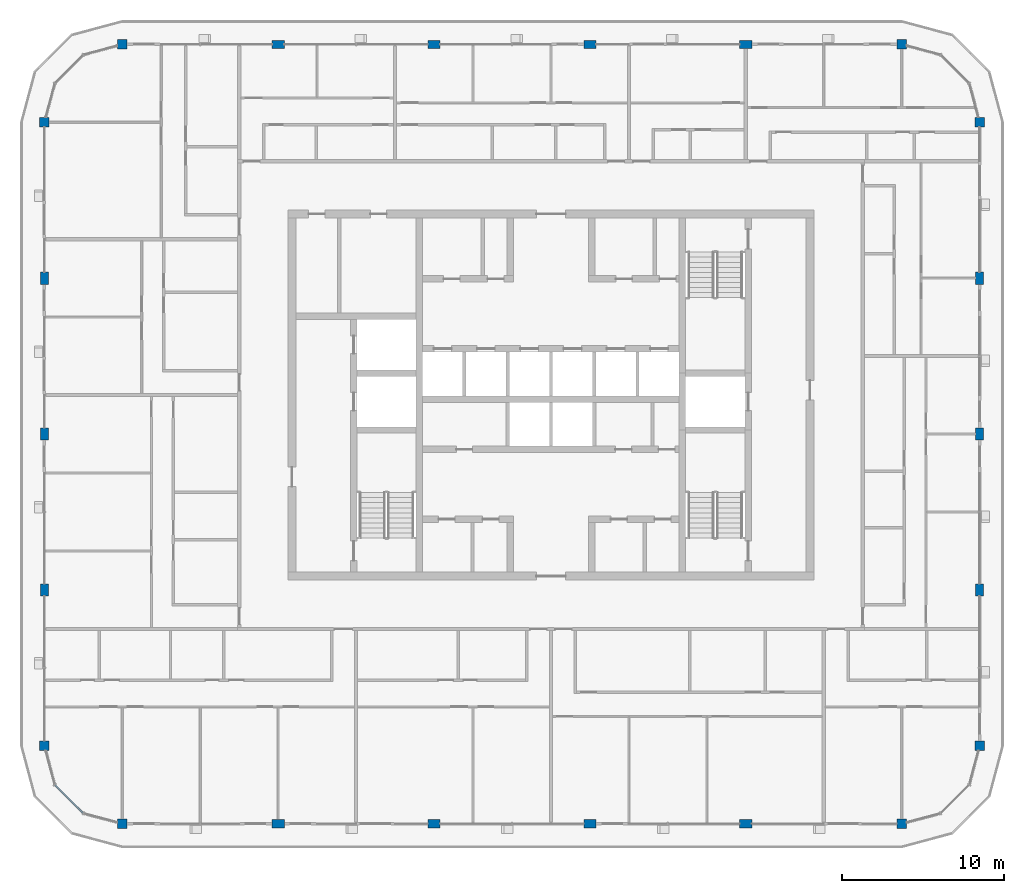
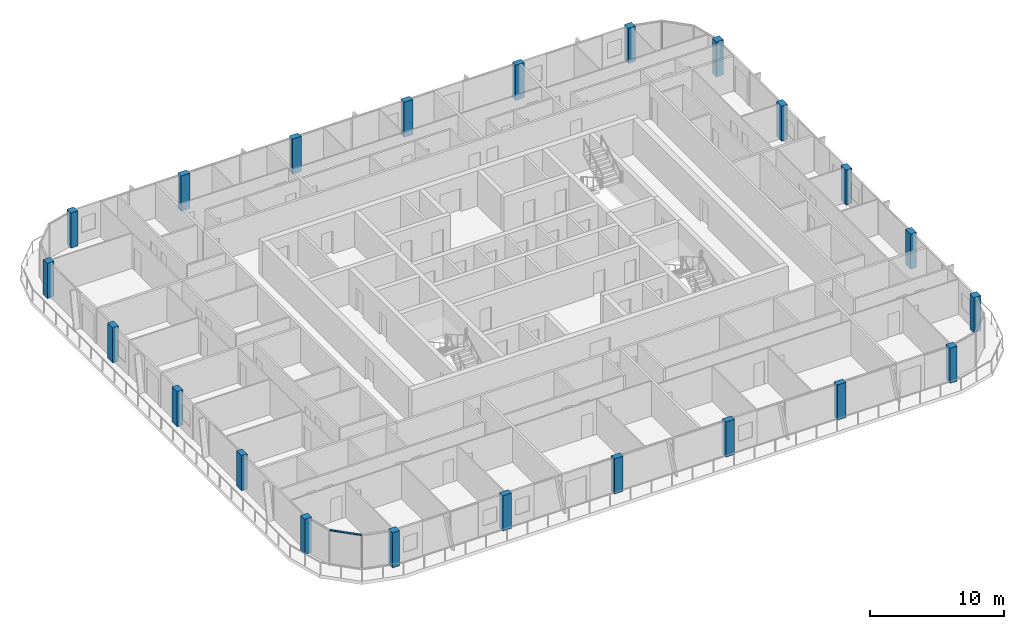
# One storey, part 1 of 21: 22 columns, 1 member, 1 element without a shape of its own.
"""IFC4 building model written with IfcOpenShell, lengths in metres."""

import ifcopenshell
import ifcopenshell.guid

model = None  # the IFC model being written
_history = None  # IfcOwnerHistory: only IFC2X3 demands one
_inside = {}  # id of a spatial element -> (the spatial element, [elements in it])
_under = {}  # id of a project, library or spatial element -> (it, [spatial elements below it])
_declared = {}  # id of a project -> (the project, [libraries it declares])
_typed = {}  # id of a type object -> (the type object, [elements of that type])
_made_of = {}  # id of a material, layer set ... -> (it, [elements and type objects made of it])


def new_model(schema):
    """Start an empty IFC model of exactly this schema.

    Asked for "IFC4X3", IfcOpenShell would pick the latest addendum, in which some entities
    have other attributes; the version numbers below select the first issue.
    IFC2X3 requires an IfcOwnerHistory on every rooted entity: one is made here for all.
    """
    global model, _history
    if schema == "IFC4X3":
        model = ifcopenshell.file(schema_version=(4, 3, 0, 0))
    else:
        model = ifcopenshell.file(schema=schema)
    _inside.clear()
    _under.clear()
    _declared.clear()
    _typed.clear()
    _made_of.clear()
    _history = None
    if model.schema == "IFC2X3":
        org = make("IfcOrganization", Name="unknown")
        user = make(
            "IfcPersonAndOrganization",
            ThePerson=make("IfcPerson", FamilyName="unknown"),
            TheOrganization=org,
        )
        app = make(
            "IfcApplication",
            ApplicationDeveloper=org,
            Version="unknown",
            ApplicationFullName="unknown",
            ApplicationIdentifier="unknown",
        )
        _history = make(
            "IfcOwnerHistory",
            OwningUser=user,
            OwningApplication=app,
            ChangeAction="ADDED",
            CreationDate=0,
        )
    return model


def make(cls, **values):
    """One entity of the class cls with the attributes given. An attribute that is None is left unset."""
    return model.create_entity(
        cls, **{name: value for name, value in values.items() if value is not None}
    )


def rooted(cls, **values):
    """An entity with a GlobalId (a new one), such as an element, a storey or a relation."""
    return make(cls, GlobalId=ifcopenshell.guid.new(), OwnerHistory=_history, **values)


def si_unit(unit_type, name, prefix=None):
    """IfcSIUnit, for example si_unit("LENGTHUNIT", "METRE", prefix="MILLI")."""
    return make("IfcSIUnit", UnitType=unit_type, Prefix=prefix, Name=name)


def assignment(units):
    """IfcUnitAssignment: the units of a project."""
    return None if units is None else make("IfcUnitAssignment", Units=units)


def point(xyz):
    """IfcCartesianPoint."""
    return None if xyz is None else make("IfcCartesianPoint", Coordinates=xyz)


def direction(xyz):
    """IfcDirection."""
    return None if xyz is None else make("IfcDirection", DirectionRatios=xyz)


def frame(location, z_axis=None, x_axis=None):
    """IfcAxis2Placement3D, a coordinate frame: its origin and axes. An axis left out is left unset."""
    return make(
        "IfcAxis2Placement3D",
        Location=point(location),
        Axis=direction(z_axis),
        RefDirection=direction(x_axis),
    )


def frame_2d(location, x_axis=None):
    """IfcAxis2Placement2D, a coordinate frame in the plane: its origin and x axis."""
    return make(
        "IfcAxis2Placement2D", Location=point(location), RefDirection=direction(x_axis)
    )


def origin():
    """The frame at (0, 0, 0) with its axes left unset."""
    return frame((0.0, 0.0, 0.0))


def origin_2d():
    """The frame at (0, 0) in the plane with its x axis left unset."""
    return frame_2d((0.0, 0.0))


def place(relative_to, where):
    """IfcLocalPlacement: puts the frame where relative to a parent placement (None: the world)."""
    return make(
        "IfcLocalPlacement", PlacementRelTo=relative_to, RelativePlacement=where
    )


def context(
    kind, dimensions, precision=None, world=None, true_north=None, identifier=None
):
    """IfcGeometricRepresentationContext, for example the 3D "Model" context."""
    return make(
        "IfcGeometricRepresentationContext",
        ContextIdentifier=identifier,
        ContextType=kind,
        CoordinateSpaceDimension=dimensions,
        Precision=precision,
        WorldCoordinateSystem=world,
        TrueNorth=true_north,
    )


def subcontext(parent, identifier, kind, view, scale=None):
    """IfcGeometricRepresentationSubContext, for example "Body" below "Model"."""
    return make(
        "IfcGeometricRepresentationSubContext",
        ContextIdentifier=identifier,
        ContextType=kind,
        ParentContext=parent,
        TargetScale=scale,
        TargetView=view,
    )


def project(units=None, contexts=None):
    """IfcProject with its units and contexts."""
    return rooted(
        "IfcProject",
        Name="project",
        RepresentationContexts=contexts,
        UnitsInContext=assignment(units),
    )


def spatial(cls, under=None, at=None, **own):
    """A site, building, storey or space (cls), placed at a placement, below another one or the project."""
    s = rooted(cls, ObjectPlacement=at, **own)
    if under is not None:
        _under.setdefault(under.id(), (under, []))[1].append(s)
    return s


def profile(cls, at=None, kind="AREA", **sizes):
    """A parametric profile (cls). Its sizes go by their IFC names, for example OverallWidth=200.0."""
    return make(cls, ProfileType=kind, Position=at, **sizes)


def rectangle(**sizes):
    """IfcRectangleProfileDef."""
    return profile("IfcRectangleProfileDef", **sizes)


def extrude(swept, where, along, depth):
    """IfcExtrudedAreaSolid: the profile swept, set in the frame where, extruded along a direction by depth."""
    return make(
        "IfcExtrudedAreaSolid",
        SweptArea=swept,
        Position=where,
        ExtrudedDirection=direction(along),
        Depth=depth,
    )


def shape(context_of_items, identifier, shape_type, items):
    """IfcShapeRepresentation: the items that make up one representation, for example the "Body"."""
    return make(
        "IfcShapeRepresentation",
        ContextOfItems=context_of_items,
        RepresentationIdentifier=identifier,
        RepresentationType=shape_type,
        Items=items,
    )


def material(Name=None, Category=None):
    """IfcMaterial."""
    return make("IfcMaterial", Name=Name, Category=Category)


def layer(
    of_material, thickness, ventilated=None, Name=None, Category=None, Priority=None
):
    """IfcMaterialLayer: one layer of a wall or slab, of a material (None: an air gap)."""
    return make(
        "IfcMaterialLayer",
        Material=of_material,
        LayerThickness=thickness,
        IsVentilated=ventilated,
        Name=Name,
        Category=Category,
        Priority=Priority,
    )


def layer_set(layers, Name=None):
    """IfcMaterialLayerSet."""
    return make("IfcMaterialLayerSet", MaterialLayers=layers, LayerSetName=Name)


def material_profile(
    of_material, cross_section, Name=None, Category=None, Priority=None
):
    """IfcMaterialProfile: a cross section and its material."""
    return make(
        "IfcMaterialProfile",
        Name=Name,
        Material=of_material,
        Profile=cross_section,
        Priority=Priority,
        Category=Category,
    )


def profile_set(profiles, Name=None, composite=None):
    """IfcMaterialProfileSet."""
    return make(
        "IfcMaterialProfileSet",
        Name=Name,
        MaterialProfiles=profiles,
        CompositeProfile=composite,
    )


def made_of(thing, what):
    """Note that an element or type object is made of a material, layer set ...; save() writes the relation."""
    if what is not None:
        _made_of.setdefault(what.id(), (what, []))[1].append(thing)
    return thing


def type_object(cls, material=None, **own):
    """A type object (cls), such as IfcWallType, which elements share."""
    return made_of(rooted(cls, **own), material)


def element(
    cls,
    number,
    at=None,
    inside=None,
    cuts=None,
    type_object=None,
    material=None,
    context=None,
    identifier="Body",
    shape_type=None,
    held_by="IfcProductDefinitionShape",
    body=None,
    shapes=None,
    **own,
):
    """One element of the class cls, such as IfcWall. Its Tag is "e" and its number.

    at: its placement. inside: the storey or other place that contains it. cuts: it is an
    opening in that element (IfcRelVoidsElement). A single representation is given by context,
    identifier, shape_type and body (its items); several are given by shapes. held_by: the class
    of the entity that holds the representations. save() writes the other relations.
    """
    e = rooted(cls, Tag="e%d" % number, ObjectPlacement=at, **own)
    if body is not None:
        shapes = [shape(context, identifier, shape_type, body)]
    if shapes is not None:
        e.Representation = make(held_by, Representations=shapes)
    if inside is not None:
        _inside.setdefault(inside.id(), (inside, []))[1].append(e)
    if cuts is not None:
        rooted(
            "IfcRelVoidsElement", RelatingBuildingElement=cuts, RelatedOpeningElement=e
        )
    if type_object is not None:
        _typed.setdefault(type_object.id(), (type_object, []))[1].append(e)
    return made_of(e, material)


def aggregate(whole, parts):
    """IfcRelAggregates: a whole, such as a stair, and the parts it consists of."""
    return rooted("IfcRelAggregates", RelatingObject=whole, RelatedObjects=parts)


def save(model, path):
    """Write the relations noted so far, then the file.

    IfcRelAggregates (storeys below a building ...), IfcRelContainedInSpatialStructure (elements
    in a storey), IfcRelDefinesByType, IfcRelAssociatesMaterial and IfcRelDeclares: one each for
    every whole, place, type object, material and project.
    """
    for whole, parts in _under.values():
        aggregate(whole, parts)
    for where, things in _inside.values():
        rooted(
            "IfcRelContainedInSpatialStructure",
            RelatedElements=things,
            RelatingStructure=where,
        )
    for kind, things in _typed.values():
        rooted("IfcRelDefinesByType", RelatedObjects=things, RelatingType=kind)
    for what, things in _made_of.values():
        rooted("IfcRelAssociatesMaterial", RelatedObjects=things, RelatingMaterial=what)
    for by, libraries in _declared.values():
        rooted("IfcRelDeclares", RelatingContext=by, RelatedDefinitions=libraries)
    model.write(path)


model = new_model("IFC4")

# Units and contexts
model_context = context("Model", 3, precision=1e-05, world=origin(), true_north=direction((0.0, 1.0)))
body_context = subcontext(model_context, "Body", "Model", "MODEL_VIEW")
ifc_project = project(units=[si_unit("LENGTHUNIT", "METRE"), si_unit("AREAUNIT", "SQUARE_METRE"), si_unit("VOLUMEUNIT", "CUBIC_METRE"), si_unit("PLANEANGLEUNIT", "RADIAN"), si_unit("MASSUNIT", "GRAM", prefix="KILO")], contexts=[model_context])

# Site, building, storey
site_placement = place(None, origin())
site = spatial("IfcSite", under=ifc_project, at=site_placement, CompositionType="ELEMENT")
building_placement = place(site_placement, origin())
building = spatial("IfcBuilding", under=site, at=building_placement, Name="Madar Terraces", CompositionType="ELEMENT")
storey_placement = place(building_placement, frame((0.0, 0.0, 272.10009765625)))
storey = spatial("IfcBuildingStorey", under=building, at=storey_placement, Name="L71", CompositionType="ELEMENT", Elevation=272.10009765625)

# Columns
ifc_material_1 = material(Name="Concrete C50/60", Category="concrete")
ifc_material_profile_1 = material_profile(ifc_material_1, rectangle(XDim=0.75, YDim=0.5, at=origin_2d()), Name="CC6 RC 750x500")
ifc_profile_set_1 = profile_set([ifc_material_profile_1], Name="Concrete C50/60")
column_type_1 = type_object("IfcColumnType", Name="CC6 RC 750x500", PredefinedType="COLUMN", material=ifc_profile_set_1)
for number, where, z_axis, x_axis, name in (
    (1, (14.39990234375, 0.0, 0.0), (0.0, 0.0, 1.0), (1.0, 0.0, 0.0), "Perimeter column S2"),
    (2, (24.0, 0.0, 0.0), (0.0, 0.0, 1.0), (1.0, 0.0, 0.0), "Perimeter column S3"),
    (3, (33.60009765625, 0.0, 0.0), (0.0, 0.0, 1.0), (1.0, 0.0, 0.0), "Perimeter column S4"),
    (4, (43.199951171875, 0.0, 0.0), (0.0, 0.0, 1.0), (1.0, 0.0, 0.0), "Perimeter column S5"),
    (5, (57.60009765625, 14.39990234375, 0.0), (0.0, 0.0, 1.0), (0.0, 1.0, 0.0), "Perimeter column E2"),
    (6, (57.60009765625, 24.0, 0.0), (0.0, 0.0, 1.0), (0.0, 1.0, 0.0), "Perimeter column E3"),
    (7, (57.60009765625, 33.60009765625, 0.0), (0.0, 0.0, 1.0), (0.0, 1.0, 0.0), "Perimeter column E4"),
    (8, (43.199951171875, 48.0, 0.0), (0.0, 0.0, 1.0), (1.0, 0.0, 0.0), "Perimeter column N2"),
    (9, (33.60009765625, 48.0, 0.0), (0.0, 0.0, 1.0), (1.0, 0.0, 0.0), "Perimeter column N3"),
    (10, (24.0, 48.0, 0.0), (0.0, 0.0, 1.0), (1.0, 0.0, 0.0), "Perimeter column N4"),
    (11, (14.39990234375, 48.0, 0.0), (0.0, 0.0, 1.0), (1.0, 0.0, 0.0), "Perimeter column N5"),
    (12, (0.0, 33.60009765625, 0.0), (0.0, 0.0, 1.0), (0.0, 1.0, 0.0), "Perimeter column W2"),
    (13, (0.0, 24.0, 0.0), (0.0, 0.0, 1.0), (0.0, 1.0, 0.0), "Perimeter column W3"),
    (14, (0.0, 14.39990234375, 0.0), (0.0, 0.0, 1.0), (0.0, 1.0, 0.0), "Perimeter column W4"),
):
    element("IfcColumn", number, at=place(storey_placement, frame(where, z_axis=z_axis, x_axis=x_axis)), inside=storey, type_object=column_type_1, Name=name, PredefinedType="COLUMN", context=body_context, shape_type="SweptSolid", body=[
        extrude(rectangle(XDim=0.75, YDim=0.5, at=origin_2d()), origin(), (0.0, 0.0, 1.0), 3.199951171875),
    ])
ifc_material_2 = material(Name="Concrete C50/60", Category="concrete")
ifc_material_profile_2 = material_profile(ifc_material_2, rectangle(XDim=0.60009765625, YDim=0.60009765625, at=origin_2d()), Name="KC6 RC 600x600")
ifc_profile_set_2 = profile_set([ifc_material_profile_2], Name="Concrete C50/60")
column_type_2 = type_object("IfcColumnType", Name="KC6 RC 600x600", PredefinedType="COLUMN", material=ifc_profile_set_2)
for number, where, z_axis, x_axis, name in (
    (15, (4.800048828125, 0.0, 0.0), (0.0, 0.0, 1.0), (1.0, 0.0, 0.0), "Perimeter column S1"),
    (16, (52.800048828125, 0.0, 0.0), (0.0, 0.0, 1.0), (1.0, 0.0, 0.0), "Perimeter column S6"),
    (17, (57.60009765625, 4.800048828125, 0.0), (0.0, 0.0, 1.0), (1.0, 0.0, 0.0), "Perimeter column E1"),
    (18, (57.60009765625, 43.199951171875, 0.0), (0.0, 0.0, 1.0), (1.0, 0.0, 0.0), "Perimeter column E5"),
    (19, (52.800048828125, 48.0, 0.0), (0.0, 0.0, 1.0), (1.0, 0.0, 0.0), "Perimeter column N1"),
    (20, (4.800048828125, 48.0, 0.0), (0.0, 0.0, 1.0), (1.0, 0.0, 0.0), "Perimeter column N6"),
    (21, (0.0, 43.199951171875, 0.0), (0.0, 0.0, 1.0), (1.0, 0.0, 0.0), "Perimeter column W1"),
    (22, (0.0, 4.800048828125, 0.0), (0.0, 0.0, 1.0), (1.0, 0.0, 0.0), "Perimeter column W5"),
):
    element("IfcColumn", number, at=place(storey_placement, frame(where, z_axis=z_axis, x_axis=x_axis)), inside=storey, type_object=column_type_2, Name=name, PredefinedType="COLUMN", context=body_context, shape_type="SweptSolid", body=[
        extrude(rectangle(XDim=0.60009765625, YDim=0.60009765625, at=origin_2d()), origin(), (0.0, 0.0, 1.0), 3.199951171875),
    ])

# Curtain wall, member
ifc_material_3 = material(Name="Glass, ceramic frit dark grey, with black aluminium frame", Category="aluminium")
ifc_layer = layer(ifc_material_3, 0.199951171875)
ifc_layer_set = layer_set([ifc_layer], Name="Facade curtain wall, fritted glass")
curtain_wall_type = type_object("IfcCurtainWallType", Name="Facade curtain wall, fritted glass", PredefinedType="NOTDEFINED", material=ifc_layer_set)
curtain_wall_placement = place(storey_placement, origin())
curtain_wall = element("IfcCurtainWall", 23, at=curtain_wall_placement, inside=storey, type_object=curtain_wall_type, Name="Outer skin curtain wall south-west corner", PredefinedType="NOTDEFINED")
ifc_material_4 = material(Name="Aluminium, black anodised", Category="aluminium")
ifc_material_profile_3 = material_profile(ifc_material_4, rectangle(XDim=0.1201171875, YDim=0.06005859375, at=origin_2d()), Name="Facade transom 60x120")
ifc_profile_set_3 = profile_set([ifc_material_profile_3], Name="Aluminium, black anodised")
member_type = type_object("IfcMemberType", Name="Facade transom 60x120", PredefinedType="USERDEFINED", material=ifc_profile_set_3)
member_placement = place(storey_placement, frame((0.664306640625, 2.37890625, 3.169921875), z_axis=(0.707106781187, -0.707106781187, 0.0), x_axis=(0.707106781187, 0.707106781187, 0.0)))
member = element("IfcMember", 24, at=member_placement, type_object=member_type, Name="Transom 2", ObjectType="TRANSOM", PredefinedType="USERDEFINED", context=body_context, shape_type="SweptSolid", body=[
    extrude(rectangle(XDim=0.1201171875, YDim=0.06005859375, at=origin_2d()), origin(), (0.0, 0.0, 1.0), 2.4248046875),
])
aggregate(curtain_wall, [member])

save(model, "model.ifc")
